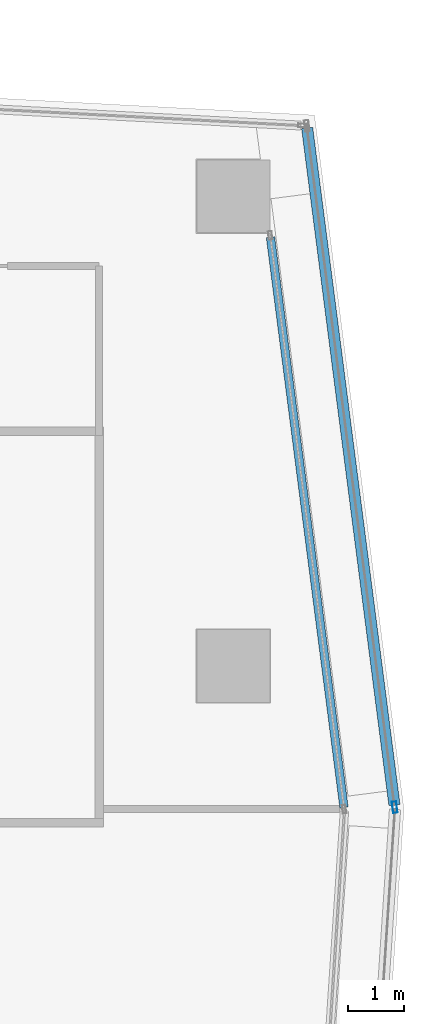
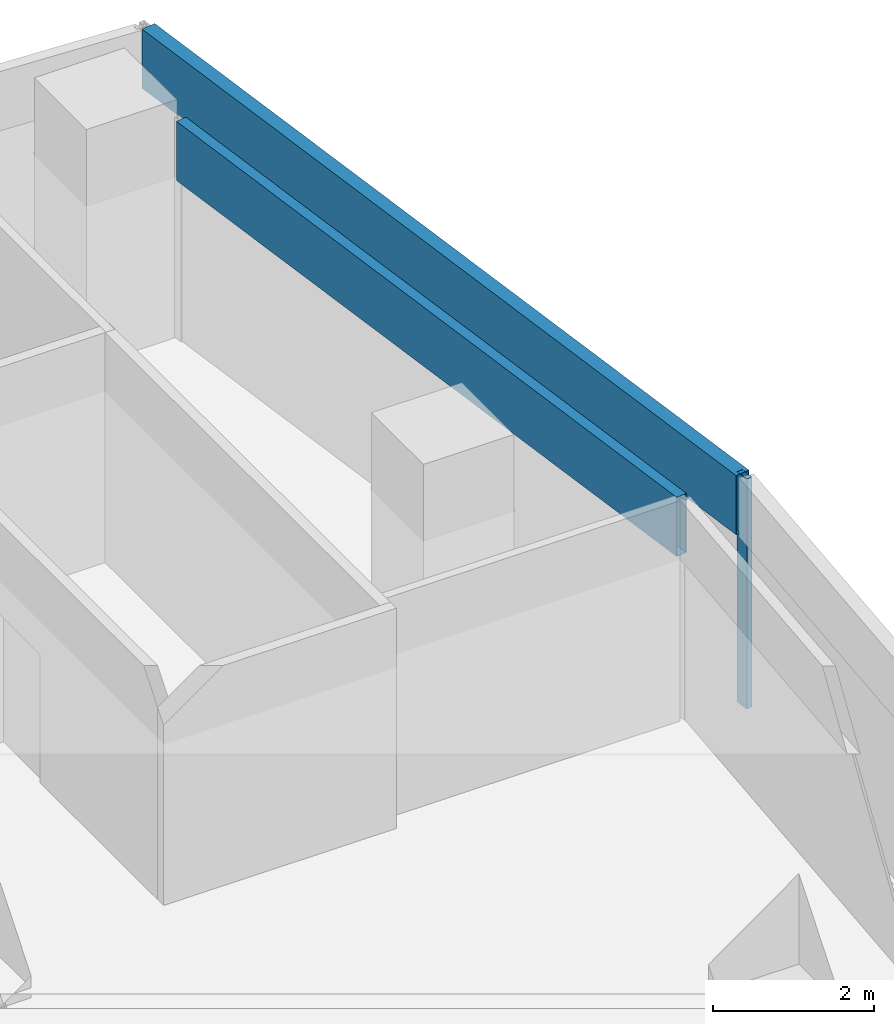
# One storey, part 12 of 28: 3 members, 2 elements without a shape of their own.
"""IFC4 building model written with IfcOpenShell, lengths in metres."""

import ifcopenshell
import ifcopenshell.guid

model = None  # the IFC model being written
_history = None  # IfcOwnerHistory: only IFC2X3 demands one
_inside = {}  # id of a spatial element -> (the spatial element, [elements in it])
_under = {}  # id of a project, library or spatial element -> (it, [spatial elements below it])
_declared = {}  # id of a project -> (the project, [libraries it declares])
_typed = {}  # id of a type object -> (the type object, [elements of that type])
_made_of = {}  # id of a material, layer set ... -> (it, [elements and type objects made of it])


def new_model(schema):
    """Start an empty IFC model of exactly this schema.

    Asked for "IFC4X3", IfcOpenShell would pick the latest addendum, in which some entities
    have other attributes; the version numbers below select the first issue.
    IFC2X3 requires an IfcOwnerHistory on every rooted entity: one is made here for all.
    """
    global model, _history
    if schema == "IFC4X3":
        model = ifcopenshell.file(schema_version=(4, 3, 0, 0))
    else:
        model = ifcopenshell.file(schema=schema)
    _inside.clear()
    _under.clear()
    _declared.clear()
    _typed.clear()
    _made_of.clear()
    _history = None
    if model.schema == "IFC2X3":
        org = make("IfcOrganization", Name="unknown")
        user = make(
            "IfcPersonAndOrganization",
            ThePerson=make("IfcPerson", FamilyName="unknown"),
            TheOrganization=org,
        )
        app = make(
            "IfcApplication",
            ApplicationDeveloper=org,
            Version="unknown",
            ApplicationFullName="unknown",
            ApplicationIdentifier="unknown",
        )
        _history = make(
            "IfcOwnerHistory",
            OwningUser=user,
            OwningApplication=app,
            ChangeAction="ADDED",
            CreationDate=0,
        )
    return model


def make(cls, **values):
    """One entity of the class cls with the attributes given. An attribute that is None is left unset."""
    return model.create_entity(
        cls, **{name: value for name, value in values.items() if value is not None}
    )


def rooted(cls, **values):
    """An entity with a GlobalId (a new one), such as an element, a storey or a relation."""
    return make(cls, GlobalId=ifcopenshell.guid.new(), OwnerHistory=_history, **values)


def si_unit(unit_type, name, prefix=None):
    """IfcSIUnit, for example si_unit("LENGTHUNIT", "METRE", prefix="MILLI")."""
    return make("IfcSIUnit", UnitType=unit_type, Prefix=prefix, Name=name)


def assignment(units):
    """IfcUnitAssignment: the units of a project."""
    return None if units is None else make("IfcUnitAssignment", Units=units)


def point(xyz):
    """IfcCartesianPoint."""
    return None if xyz is None else make("IfcCartesianPoint", Coordinates=xyz)


def direction(xyz):
    """IfcDirection."""
    return None if xyz is None else make("IfcDirection", DirectionRatios=xyz)


def frame(location, z_axis=None, x_axis=None):
    """IfcAxis2Placement3D, a coordinate frame: its origin and axes. An axis left out is left unset."""
    return make(
        "IfcAxis2Placement3D",
        Location=point(location),
        Axis=direction(z_axis),
        RefDirection=direction(x_axis),
    )


def frame_2d(location, x_axis=None):
    """IfcAxis2Placement2D, a coordinate frame in the plane: its origin and x axis."""
    return make(
        "IfcAxis2Placement2D", Location=point(location), RefDirection=direction(x_axis)
    )


def origin():
    """The frame at (0, 0, 0) with its axes left unset."""
    return frame((0.0, 0.0, 0.0))


def origin_2d():
    """The frame at (0, 0) in the plane with its x axis left unset."""
    return frame_2d((0.0, 0.0))


def place(relative_to, where):
    """IfcLocalPlacement: puts the frame where relative to a parent placement (None: the world)."""
    return make(
        "IfcLocalPlacement", PlacementRelTo=relative_to, RelativePlacement=where
    )


def context(
    kind, dimensions, precision=None, world=None, true_north=None, identifier=None
):
    """IfcGeometricRepresentationContext, for example the 3D "Model" context."""
    return make(
        "IfcGeometricRepresentationContext",
        ContextIdentifier=identifier,
        ContextType=kind,
        CoordinateSpaceDimension=dimensions,
        Precision=precision,
        WorldCoordinateSystem=world,
        TrueNorth=true_north,
    )


def subcontext(parent, identifier, kind, view, scale=None):
    """IfcGeometricRepresentationSubContext, for example "Body" below "Model"."""
    return make(
        "IfcGeometricRepresentationSubContext",
        ContextIdentifier=identifier,
        ContextType=kind,
        ParentContext=parent,
        TargetScale=scale,
        TargetView=view,
    )


def project(units=None, contexts=None):
    """IfcProject with its units and contexts."""
    return rooted(
        "IfcProject",
        Name="project",
        RepresentationContexts=contexts,
        UnitsInContext=assignment(units),
    )


def spatial(cls, under=None, at=None, **own):
    """A site, building, storey or space (cls), placed at a placement, below another one or the project."""
    s = rooted(cls, ObjectPlacement=at, **own)
    if under is not None:
        _under.setdefault(under.id(), (under, []))[1].append(s)
    return s


def profile(cls, at=None, kind="AREA", **sizes):
    """A parametric profile (cls). Its sizes go by their IFC names, for example OverallWidth=200.0."""
    return make(cls, ProfileType=kind, Position=at, **sizes)


def hollow_rectangle(**sizes):
    """IfcRectangleHollowProfileDef."""
    return profile("IfcRectangleHollowProfileDef", **sizes)


def extrude(swept, where, along, depth):
    """IfcExtrudedAreaSolid: the profile swept, set in the frame where, extruded along a direction by depth."""
    return make(
        "IfcExtrudedAreaSolid",
        SweptArea=swept,
        Position=where,
        ExtrudedDirection=direction(along),
        Depth=depth,
    )


def shape(context_of_items, identifier, shape_type, items):
    """IfcShapeRepresentation: the items that make up one representation, for example the "Body"."""
    return make(
        "IfcShapeRepresentation",
        ContextOfItems=context_of_items,
        RepresentationIdentifier=identifier,
        RepresentationType=shape_type,
        Items=items,
    )


def material(Name=None, Category=None):
    """IfcMaterial."""
    return make("IfcMaterial", Name=Name, Category=Category)


def material_profile(
    of_material, cross_section, Name=None, Category=None, Priority=None
):
    """IfcMaterialProfile: a cross section and its material."""
    return make(
        "IfcMaterialProfile",
        Name=Name,
        Material=of_material,
        Profile=cross_section,
        Priority=Priority,
        Category=Category,
    )


def profile_set(profiles, Name=None, composite=None):
    """IfcMaterialProfileSet."""
    return make(
        "IfcMaterialProfileSet",
        Name=Name,
        MaterialProfiles=profiles,
        CompositeProfile=composite,
    )


def made_of(thing, what):
    """Note that an element or type object is made of a material, layer set ...; save() writes the relation."""
    if what is not None:
        _made_of.setdefault(what.id(), (what, []))[1].append(thing)
    return thing


def type_object(cls, material=None, **own):
    """A type object (cls), such as IfcWallType, which elements share."""
    return made_of(rooted(cls, **own), material)


def element(
    cls,
    number,
    at=None,
    inside=None,
    cuts=None,
    type_object=None,
    material=None,
    context=None,
    identifier="Body",
    shape_type=None,
    held_by="IfcProductDefinitionShape",
    body=None,
    shapes=None,
    **own,
):
    """One element of the class cls, such as IfcWall. Its Tag is "e" and its number.

    at: its placement. inside: the storey or other place that contains it. cuts: it is an
    opening in that element (IfcRelVoidsElement). A single representation is given by context,
    identifier, shape_type and body (its items); several are given by shapes. held_by: the class
    of the entity that holds the representations. save() writes the other relations.
    """
    e = rooted(cls, Tag="e%d" % number, ObjectPlacement=at, **own)
    if body is not None:
        shapes = [shape(context, identifier, shape_type, body)]
    if shapes is not None:
        e.Representation = make(held_by, Representations=shapes)
    if inside is not None:
        _inside.setdefault(inside.id(), (inside, []))[1].append(e)
    if cuts is not None:
        rooted(
            "IfcRelVoidsElement", RelatingBuildingElement=cuts, RelatedOpeningElement=e
        )
    if type_object is not None:
        _typed.setdefault(type_object.id(), (type_object, []))[1].append(e)
    return made_of(e, material)


def aggregate(whole, parts):
    """IfcRelAggregates: a whole, such as a stair, and the parts it consists of."""
    return rooted("IfcRelAggregates", RelatingObject=whole, RelatedObjects=parts)


def save(model, path):
    """Write the relations noted so far, then the file.

    IfcRelAggregates (storeys below a building ...), IfcRelContainedInSpatialStructure (elements
    in a storey), IfcRelDefinesByType, IfcRelAssociatesMaterial and IfcRelDeclares: one each for
    every whole, place, type object, material and project.
    """
    for whole, parts in _under.values():
        aggregate(whole, parts)
    for where, things in _inside.values():
        rooted(
            "IfcRelContainedInSpatialStructure",
            RelatedElements=things,
            RelatingStructure=where,
        )
    for kind, things in _typed.values():
        rooted("IfcRelDefinesByType", RelatedObjects=things, RelatingType=kind)
    for what, things in _made_of.values():
        rooted("IfcRelAssociatesMaterial", RelatedObjects=things, RelatingMaterial=what)
    for by, libraries in _declared.values():
        rooted("IfcRelDeclares", RelatingContext=by, RelatedDefinitions=libraries)
    model.write(path)


model = new_model("IFC4")

# Units and contexts
model_context = context("Model", 3, precision=1e-05, world=origin(), true_north=direction((0.0, 1.0)))
body_context = subcontext(model_context, "Body", "Model", "MODEL_VIEW")
ifc_project = project(units=[si_unit("LENGTHUNIT", "METRE"), si_unit("AREAUNIT", "SQUARE_METRE"), si_unit("VOLUMEUNIT", "CUBIC_METRE"), si_unit("PLANEANGLEUNIT", "RADIAN"), si_unit("MASSUNIT", "GRAM", prefix="KILO")], contexts=[model_context])

# Site, building, storey
site_placement = place(None, origin())
site = spatial("IfcSite", under=ifc_project, at=site_placement, CompositionType="ELEMENT")
building_placement = place(site_placement, origin())
building = spatial("IfcBuilding", under=site, at=building_placement, Name="Rekha Terrace Tower", CompositionType="ELEMENT")
storey_placement = place(building_placement, frame((0.0, 0.0, 268.85009765625)))
storey = spatial("IfcBuildingStorey", under=building, at=storey_placement, Name="L68", CompositionType="ELEMENT", Elevation=268.85009765625)

# Curtain wall, member
ifc_material_1 = material(Name="Aluminium framing", Category="aluminium")
curtain_wall_type_1 = type_object("IfcCurtainWallType", Name="CW1 double skin inner glazing", PredefinedType="USERDEFINED", material=ifc_material_1)
curtain_wall_1_placement = place(storey_placement, origin())
curtain_wall_1 = element("IfcCurtainWall", 1, at=curtain_wall_1_placement, inside=storey, type_object=curtain_wall_type_1, Name="CW1 double skin inner glazing", ObjectType="DOUBLE SKIN INNER GLAZING", PredefinedType="USERDEFINED")
ifc_material_2 = material(Name="Insulated aluminium spandrel box", Category="aluminium")
ifc_material_profile_1 = material_profile(ifc_material_2, hollow_rectangle(XDim=0.14990234375, YDim=0.89990234375, WallThickness=0.0029296875, at=origin_2d()), Name="AL SPANDREL BOX 150x900")
ifc_profile_set_1 = profile_set([ifc_material_profile_1], Name="Insulated aluminium spandrel box")
member_type_1 = type_object("IfcMemberType", Name="CW1 spandrel transom 150 x 900", PredefinedType="USERDEFINED", material=ifc_profile_set_1)
member_1_placement = place(storey_placement, frame((60.777099609375, 39.471435546875, 3.0498046875), z_axis=(-0.127854523912, 0.991792932378, 0.0), x_axis=(-0.991792932378, -0.127854523912, 0.0)))
member_1 = element("IfcMember", 2, at=member_1_placement, type_object=member_type_1, Name="CW1 spandrel transom 1", ObjectType="TRANSOM", PredefinedType="USERDEFINED", context=body_context, shape_type="SweptSolid", body=[
    extrude(hollow_rectangle(XDim=0.14990234375, YDim=0.89990234375, WallThickness=0.0029296875, at=origin_2d()), origin(), (0.0, 0.0, 1.0), 10.279052734375),
])
aggregate(curtain_wall_1, [member_1])

# Curtain wall, members
curtain_wall_type_2 = type_object("IfcCurtainWallType", Name="CW2 double skin outer glazing", PredefinedType="USERDEFINED", material=ifc_material_1)
curtain_wall_2_placement = place(storey_placement, origin())
curtain_wall_2 = element("IfcCurtainWall", 3, at=curtain_wall_2_placement, inside=storey, type_object=curtain_wall_type_2, Name="CW2 double skin outer glazing", ObjectType="DOUBLE SKIN OUTER GLAZING", PredefinedType="USERDEFINED")
ifc_material_3 = material(Name="Aluminium mullion section", Category="aluminium")
ifc_material_profile_2 = material_profile(ifc_material_3, hollow_rectangle(XDim=0.080078125, YDim=0.199951171875, WallThickness=0.00390625, at=origin_2d()), Name="AL RHS 80x200")
ifc_profile_set_2 = profile_set([ifc_material_profile_2], Name="Aluminium mullion section")
member_type_2 = type_object("IfcMemberType", Name="CW2 mullion RHS 80 x 200", PredefinedType="MULLION", material=ifc_profile_set_2)
member_2_placement = place(storey_placement, frame((61.68408203125, 39.474609375, 0.0), z_axis=(0.0, 0.0, 1.0), x_axis=(-0.991790949459, -0.12786990487, 0.0)))
member_2 = element("IfcMember", 4, at=member_2_placement, type_object=member_type_2, Name="CW2 mullion 1", PredefinedType="MULLION", context=body_context, shape_type="SweptSolid", body=[
    extrude(hollow_rectangle(XDim=0.080078125, YDim=0.199951171875, WallThickness=0.00390625, at=origin_2d()), origin(), (0.0, 0.0, 1.0), 3.5),
])
ifc_material_profile_3 = material_profile(ifc_material_2, hollow_rectangle(XDim=0.199951171875, YDim=0.89990234375, WallThickness=0.0029296875, at=origin_2d()), Name="AL SPANDREL BOX 200x900")
ifc_profile_set_3 = profile_set([ifc_material_profile_3], Name="Insulated aluminium spandrel box")
member_type_3 = type_object("IfcMemberType", Name="CW2 spandrel transom 200 x 900", PredefinedType="USERDEFINED", material=ifc_profile_set_3)
member_3_placement = place(storey_placement, frame((61.67919921875, 39.514404296875, 3.0498046875), z_axis=(-0.127874852181, 0.991790311598, 0.0), x_axis=(-0.991790311598, -0.127874852181, 0.0)))
member_3 = element("IfcMember", 5, at=member_3_placement, type_object=member_type_3, Name="CW2 spandrel transom 1", ObjectType="TRANSOM", PredefinedType="USERDEFINED", context=body_context, shape_type="SweptSolid", body=[
    extrude(hollow_rectangle(XDim=0.199951171875, YDim=0.89990234375, WallThickness=0.0029296875, at=origin_2d()), origin(), (0.0, 0.0, 1.0), 12.20361328125),
])
aggregate(curtain_wall_2, [member_2, member_3])

save(model, "model.ifc")
